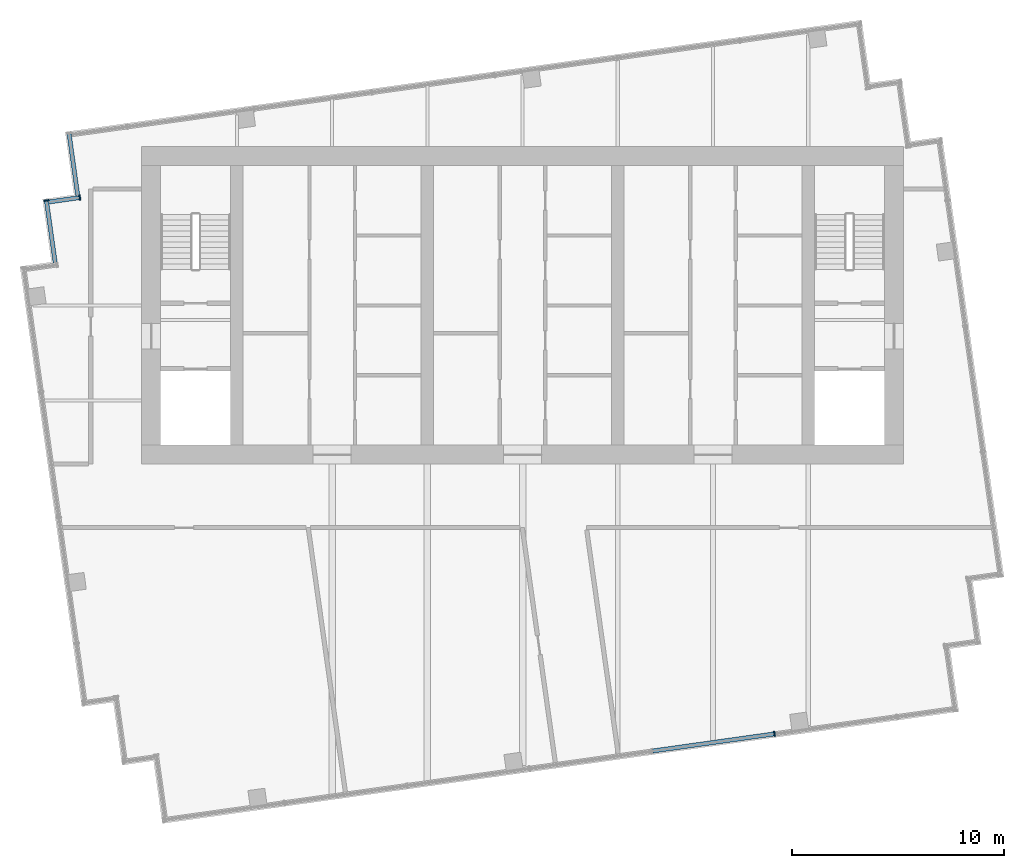
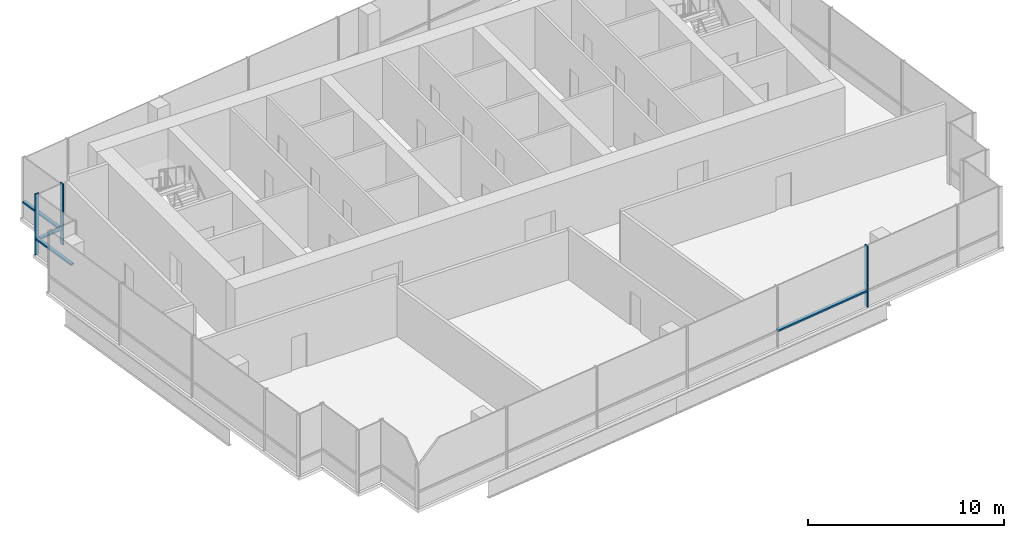
# One storey, part 3 of 10: 7 members, 4 elements without a shape of their own.
"""IFC4 building model written with IfcOpenShell, lengths in metres."""

from ifc_helpers import new_model, si_unit, direction, frame, origin, origin_2d, place, context, subcontext, project, spatial, rectangle, extrude, material, layer, layer_set, material_profile, profile_set, type_object, element, aggregate, save


model = new_model("IFC4")

# Units and contexts
model_context = context("Model", 3, precision=1e-05, world=origin(), true_north=direction((0.0, 1.0)))
body_context = subcontext(model_context, "Body", "Model", "MODEL_VIEW")
ifc_project = project(units=[si_unit("LENGTHUNIT", "METRE"), si_unit("AREAUNIT", "SQUARE_METRE"), si_unit("VOLUMEUNIT", "CUBIC_METRE"), si_unit("PLANEANGLEUNIT", "RADIAN"), si_unit("MASSUNIT", "GRAM", prefix="KILO")], contexts=[model_context])

# Site, building, storey
site_placement = place(None, origin())
site = spatial("IfcSite", under=ifc_project, at=site_placement, CompositionType="ELEMENT")
building_placement = place(site_placement, origin())
building = spatial("IfcBuilding", under=site, at=building_placement, Name="Rattan Terrace Tower", CompositionType="ELEMENT")
storey_placement = place(building_placement, frame((0.0, 0.0, 300.300048828125)))
storey = spatial("IfcBuildingStorey", under=building, at=storey_placement, Name="C03", CompositionType="ELEMENT", Elevation=300.300048828125)

# Curtain wall, member
ifc_material_1 = material(Name="Aluminium and laminated glass", Category="aluminium")
ifc_layer = layer(ifc_material_1, 0.239990234375)
ifc_layer_set = layer_set([ifc_layer], Name="Lantern Stick Curtain Wall")
curtain_wall_type = type_object("IfcCurtainWallType", Name="Lantern Stick Curtain Wall", PredefinedType="NOTDEFINED", material=ifc_layer_set)
curtain_wall_1_placement = place(storey_placement, origin())
curtain_wall_1 = element("IfcCurtainWall", 1, at=curtain_wall_1_placement, inside=storey, type_object=curtain_wall_type, Name="Lantern curtain wall C03-6", PredefinedType="NOTDEFINED")
ifc_material_2 = material(Name="Aluminium", Category="aluminium")
ifc_material_profile_1 = material_profile(ifc_material_2, rectangle(XDim=0.070068359375, YDim=0.239990234375, at=origin_2d()), Name="Aluminium 70x240")
ifc_profile_set_1 = profile_set([ifc_material_profile_1], Name="Aluminium")
member_type_1 = type_object("IfcMemberType", Name="Lantern CW Mullion 70x240", PredefinedType="MULLION", material=ifc_profile_set_1)
member_1_placement = place(storey_placement, frame((11.90283203125, -20.247314453125, 0.0), z_axis=(0.0, 0.0, 1.0), x_axis=(0.990266952226, 0.13918104515, 0.0)))
member_1 = element("IfcMember", 2, at=member_1_placement, type_object=member_type_1, Name="Mullion cwl-C03-006.6", PredefinedType="MULLION", context=body_context, shape_type="SweptSolid", body=[
    extrude(rectangle(XDim=0.070068359375, YDim=0.239990234375, at=origin_2d()), origin(), (0.0, 0.0, 1.0), 3.800048828125),
])

curtain_wall_2_placement = place(storey_placement, origin())
curtain_wall_2 = element("IfcCurtainWall", 3, at=curtain_wall_2_placement, inside=storey, type_object=curtain_wall_type, Name="Lantern curtain wall C03-18", PredefinedType="NOTDEFINED")
member_2_placement = place(storey_placement, frame((-20.9189453125, 5.09228515625, 0.0), z_axis=(0.0, 0.0, 1.0), x_axis=(-0.990227803001, -0.139459306479, 0.0)))
member_2 = element("IfcMember", 4, at=member_2_placement, type_object=member_type_1, Name="Mullion cwl-C03-018.1", PredefinedType="MULLION", context=body_context, shape_type="SweptSolid", body=[
    extrude(rectangle(XDim=0.070068359375, YDim=0.239990234375, at=origin_2d()), origin(), (0.0, 0.0, 1.0), 3.800048828125),
])

curtain_wall_3_placement = place(storey_placement, origin())
curtain_wall_3 = element("IfcCurtainWall", 5, at=curtain_wall_3_placement, inside=storey, type_object=curtain_wall_type, Name="Lantern curtain wall C03-19", PredefinedType="NOTDEFINED")
member_3_placement = place(storey_placement, frame((-22.498779296875, 4.95556640625, 0.0), z_axis=(0.0, 0.0, 1.0), x_axis=(0.139367219175, -0.990240767803, 0.0)))
member_3 = element("IfcMember", 6, at=member_3_placement, type_object=member_type_1, Name="Mullion cwl-C03-019.1", PredefinedType="MULLION", context=body_context, shape_type="SweptSolid", body=[
    extrude(rectangle(XDim=0.070068359375, YDim=0.239990234375, at=origin_2d()), origin(), (0.0, 0.0, 1.0), 3.800048828125),
])

# Member
ifc_material_3 = material(Name="Aluminium", Category="aluminium")
ifc_material_profile_2 = material_profile(ifc_material_3, rectangle(XDim=0.199951171875, YDim=0.10009765625, at=origin_2d()), Name="Aluminium 200x100")
ifc_profile_set_2 = profile_set([ifc_material_profile_2], Name="Aluminium")
member_type_2 = type_object("IfcMemberType", Name="Lantern CW Transom 200x100", PredefinedType="USERDEFINED", material=ifc_profile_set_2)
member_4_placement = place(storey_placement, frame((6.1484375, -21.05615234375, 1.0), z_axis=(0.990265684123, 0.139190067348, 0.0), x_axis=(-0.139190067348, 0.990265684123, 0.0)))
member_4 = element("IfcMember", 7, at=member_4_placement, type_object=member_type_2, Name="Transom cwl-C03-006.5", ObjectType="TRANSOM", PredefinedType="USERDEFINED", context=body_context, shape_type="SweptSolid", body=[
    extrude(rectangle(XDim=0.199951171875, YDim=0.10009765625, at=origin_2d()), origin(), (0.0, 0.0, 1.0), 5.77587890625),
])

aggregate(curtain_wall_1, [member_1, member_4])

# Curtain wall, member
curtain_wall_4_placement = place(storey_placement, origin())
curtain_wall_4 = element("IfcCurtainWall", 8, at=curtain_wall_4_placement, inside=storey, type_object=curtain_wall_type, Name="Lantern curtain wall C03-17", PredefinedType="NOTDEFINED")
member_5_placement = place(storey_placement, frame((-21.427001953125, 8.099853515625, 1.0), z_axis=(0.139028781454, -0.990288340801, 0.0), x_axis=(0.990288340801, 0.139028781454, 0.0)))
member_5 = element("IfcMember", 9, at=member_5_placement, type_object=member_type_2, Name="Transom cwl-C03-017.1", ObjectType="TRANSOM", PredefinedType="USERDEFINED", context=body_context, shape_type="SweptSolid", body=[
    extrude(rectangle(XDim=0.199951171875, YDim=0.10009765625, at=origin_2d()), origin(), (0.0, 0.0, 1.0), 2.92919921875),
])
aggregate(curtain_wall_4, [member_5])

# Member
member_6_placement = place(storey_placement, frame((-20.95361328125, 5.08740234375, 1.0), z_axis=(-0.990227834808, -0.139459080636, 0.0), x_axis=(0.139459080636, -0.990227834808, 0.0)))
member_6 = element("IfcMember", 10, at=member_6_placement, type_object=member_type_2, Name="Transom cwl-C03-018.1", ObjectType="TRANSOM", PredefinedType="USERDEFINED", context=body_context, shape_type="SweptSolid", body=[
    extrude(rectangle(XDim=0.199951171875, YDim=0.10009765625, at=origin_2d()), origin(), (0.0, 0.0, 1.0), 1.428466796875),
])

aggregate(curtain_wall_2, [member_2, member_6])

member_7_placement = place(storey_placement, frame((-22.493896484375, 4.9208984375, 1.0), z_axis=(0.139355716724, -0.990242386599, 0.0), x_axis=(0.990242386599, 0.139355716724, 0.0)))
member_7 = element("IfcMember", 11, at=member_7_placement, type_object=member_type_2, Name="Transom cwl-C03-019.1", ObjectType="TRANSOM", PredefinedType="USERDEFINED", context=body_context, shape_type="SweptSolid", body=[
    extrude(rectangle(XDim=0.199951171875, YDim=0.10009765625, at=origin_2d()), origin(), (0.0, 0.0, 1.0), 2.92919921875),
])

aggregate(curtain_wall_3, [member_3, member_7])

save(model, "model.ifc")
